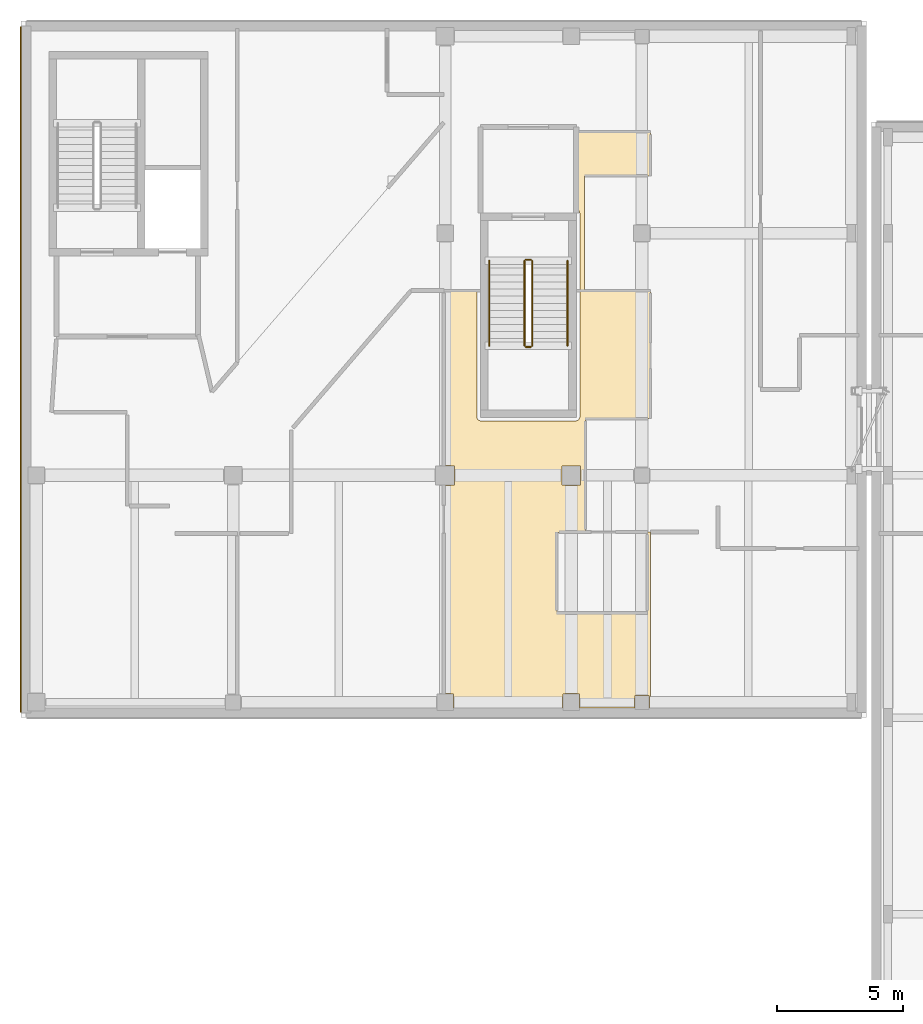
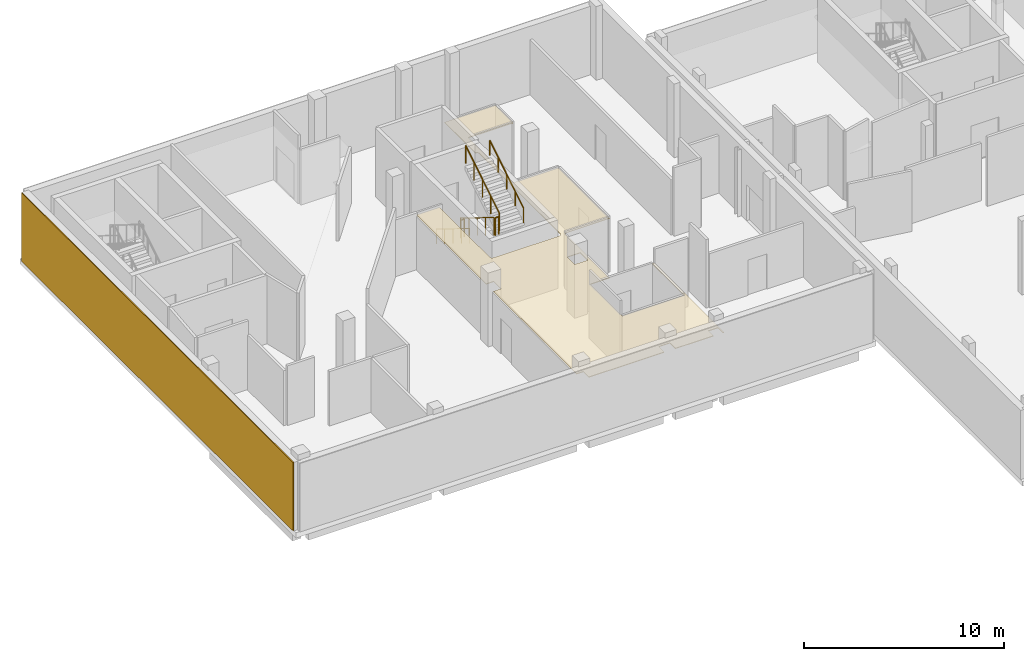
# One storey, part 32 of 41: 6 railings, 2 coverings.
"""IFC4 building model written with IfcOpenShell, lengths in metres."""

from ifc_helpers import new_model, si_unit, direction, frame, origin, origin_2d, place, context, subcontext, project, spatial, polyline, rectangle, circle, outline, extrude, material, layer, layer_set, type_object, element, save


model = new_model("IFC4")

# Units and contexts
model_context = context("Model", 3, precision=1e-05, world=origin(), true_north=direction((0.0, 1.0)))
body_context = subcontext(model_context, "Body", "Model", "MODEL_VIEW")
ifc_project = project(units=[si_unit("LENGTHUNIT", "METRE"), si_unit("AREAUNIT", "SQUARE_METRE"), si_unit("VOLUMEUNIT", "CUBIC_METRE"), si_unit("PLANEANGLEUNIT", "RADIAN"), si_unit("MASSUNIT", "GRAM", prefix="KILO")], contexts=[model_context])

# Site, building, storey
site_placement = place(None, origin())
site = spatial("IfcSite", under=ifc_project, at=site_placement, CompositionType="ELEMENT")
building_placement = place(site_placement, origin())
building = spatial("IfcBuilding", under=site, at=building_placement, Name="Mzevani Central Library", CompositionType="ELEMENT")
storey_placement = place(building_placement, frame((0.0, 0.0, 13.800048828125)))
storey = spatial("IfcBuildingStorey", under=building, at=storey_placement, Name="L03", CompositionType="ELEMENT", Elevation=13.800048828125)

# Railings
ifc_material_1 = material(Name="Brushed stainless steel rail", Category="steel")
railing_type_1 = type_object("IfcRailingType", Name="Interior Gallery and Stair Guard 1100", PredefinedType="BALUSTRADE", material=ifc_material_1)
railing_1_placement = place(storey_placement, frame((32.35009765625, 108.5, 0.173095703125)))
element("IfcRailing", 1, at=railing_1_placement, inside=storey, type_object=railing_type_1, Name="L03 ST-04 stair guard 1", PredefinedType="BALUSTRADE", context=body_context, shape_type="SweptSolid", body=[
    extrude(circle(Radius=0.02392578125, at=origin_2d()), frame((0.0, 0.0, 1.076171875), z_axis=(0.0, -0.850623216509, 0.525775754039), x_axis=(1.0, 0.0, 0.0)), (0.0, 0.0, 1.0), 3.9501953125),
    extrude(circle(Radius=0.02099609375, at=origin_2d()), origin(), (0.0, 0.0, 1.0), 1.052001953125),
    extrude(circle(Radius=0.02099609375, at=origin_2d()), frame((0.0, -0.840087890625, 0.519287109375)), (0.0, 0.0, 1.0), 1.052001953125),
    extrude(circle(Radius=0.02099609375, at=origin_2d()), frame((0.0, -1.68017578125, 1.03857421875)), (0.0, 0.0, 1.0), 1.052001953125),
    extrude(circle(Radius=0.02099609375, at=origin_2d()), frame((0.0, -2.52001953125, 1.5576171875)), (0.0, 0.0, 1.0), 1.052001953125),
    extrude(circle(Radius=0.02099609375, at=origin_2d()), frame((0.0, -3.360107421875, 2.076904296875)), (0.0, 0.0, 1.0), 1.052001953125),
])
railing_2_placement = place(storey_placement, frame((32.39990234375, 105.090087890625, 2.25)))
element("IfcRailing", 2, at=railing_2_placement, inside=storey, type_object=railing_type_1, Name="L03 ST-04 stair guard 2", PredefinedType="BALUSTRADE", context=body_context, shape_type="SweptSolid", body=[
    extrude(circle(Radius=0.02392578125, at=origin_2d()), frame((0.0, 0.0, 1.076171875), z_axis=(1.0, 0.0, 0.0), x_axis=(0.0, 1.0, 0.0)), (0.0, 0.0, 1.0), 0.2001953125),
    extrude(circle(Radius=0.02099609375, at=origin_2d()), origin(), (0.0, 0.0, 1.0), 1.052001953125),
    extrude(circle(Radius=0.02099609375, at=origin_2d()), frame((0.2001953125, 0.0, 0.0)), (0.0, 0.0, 1.0), 1.052001953125),
])
railing_3_placement = place(storey_placement, frame((32.64990234375, 105.139892578125, 2.423095703125)))
element("IfcRailing", 3, at=railing_3_placement, inside=storey, type_object=railing_type_1, Name="L03 ST-04 stair guard 3", PredefinedType="BALUSTRADE", context=body_context, shape_type="SweptSolid", body=[
    extrude(circle(Radius=0.02392578125, at=origin_2d()), frame((0.0, 0.0, 1.076171875), z_axis=(0.0, 0.850623216509, 0.525775754039), x_axis=(-1.0, 0.0, 0.0)), (0.0, 0.0, 1.0), 3.9501953125),
    extrude(circle(Radius=0.02099609375, at=origin_2d()), origin(), (0.0, 0.0, 1.0), 1.052001953125),
    extrude(circle(Radius=0.02099609375, at=origin_2d()), frame((0.0, 0.840087890625, 0.519287109375)), (0.0, 0.0, 1.0), 1.052001953125),
    extrude(circle(Radius=0.02099609375, at=origin_2d()), frame((0.0, 1.68017578125, 1.03857421875)), (0.0, 0.0, 1.0), 1.052001953125),
    extrude(circle(Radius=0.02099609375, at=origin_2d()), frame((0.0, 2.52001953125, 1.5576171875)), (0.0, 0.0, 1.0), 1.052001953125),
    extrude(circle(Radius=0.02099609375, at=origin_2d()), frame((0.0, 3.360107421875, 2.076904296875)), (0.0, 0.0, 1.0), 1.052001953125),
])
railing_4_placement = place(storey_placement, frame((32.39990234375, 108.550048828125, 0.0)))
element("IfcRailing", 4, at=railing_4_placement, inside=storey, type_object=railing_type_1, Name="L03 ST-04 stair guard 4", PredefinedType="BALUSTRADE", context=body_context, shape_type="SweptSolid", body=[
    extrude(circle(Radius=0.02392578125, at=origin_2d()), frame((0.0, 0.0, 1.076171875), z_axis=(1.0, 0.0, 0.0), x_axis=(0.0, 1.0, 0.0)), (0.0, 0.0, 1.0), 0.2001953125),
    extrude(circle(Radius=0.02099609375, at=origin_2d()), origin(), (0.0, 0.0, 1.0), 1.052001953125),
    extrude(circle(Radius=0.02099609375, at=origin_2d()), frame((0.2001953125, 0.0, 0.0)), (0.0, 0.0, 1.0), 1.052001953125),
])

# Coverings
ifc_material_2 = material(Name="Limestone ashlar cladding", Category="masonry")
ifc_layer_1 = layer(ifc_material_2, 0.050048828125, Name="Limestone Ashlar Spandrel Cladding")
ifc_layer_set_1 = layer_set([ifc_layer_1], Name="Limestone ashlar cladding")
covering_type_1 = type_object("IfcCoveringType", Name="Limestone Ashlar Spandrel Cladding", PredefinedType="CLADDING", material=ifc_layer_set_1)
covering_1_placement = place(storey_placement, frame((12.3759765625, 104.199951171875, 0.0), z_axis=(0.0, 0.0, 1.0), x_axis=(0.0, 1.0, 0.0)))
element("IfcCovering", 5, at=covering_1_placement, inside=storey, type_object=covering_type_1, Name="L03 Warm-White Facade Cladding (EW4-V2-L03-0029)", PredefinedType="CLADDING", context=body_context, shape_type="SweptSolid", body=[
    extrude(rectangle(XDim=27.179931640625, YDim=0.050048828125, at=origin_2d()), origin(), (0.0, 0.0, 1.0), 4.179931640625),
])
ifc_material_3 = material(Name="Mineral wool acoustic ceiling")
ifc_layer_2 = layer(ifc_material_3, 0.0400390625, Name="Perforated Timber Acoustic Ceiling")
ifc_layer_set_2 = layer_set([ifc_layer_2], Name="Mineral wool acoustic ceiling")
covering_type_2 = type_object("IfcCoveringType", Name="Perforated Timber Acoustic Ceiling", PredefinedType="CEILING", material=ifc_layer_set_2)
covering_2_placement = place(storey_placement, frame((0.0, 0.0, 3.25)))
element("IfcCovering", 6, at=covering_2_placement, inside=storey, type_object=covering_type_2, Name="L03 Senior Archivist Office Acoustic Ceiling", PredefinedType="CEILING", context=body_context, shape_type="SweptSolid", body=[
    extrude(outline(polyline([(30.458740234375, 107.32958984375), (30.4599609375, 102.3017578125), (30.491943359375, 102.212158203125), (30.602294921875, 102.159912109375), (34.398193359375, 102.159912109375), (34.48779296875, 102.19189453125), (34.5400390625, 102.30224609375), (34.5400390625, 110.39794921875), (34.498291015625, 110.498291015625), (34.389892578125, 110.550048828125), (34.39013671875, 113.6220703125), (37.342041015625, 113.627197265625), (37.340576171875, 111.86669921875), (34.735107421875, 111.864990234375), (34.735107421875, 107.3349609375), (37.34375, 107.32958984375), (37.3447265625, 102.248046875), (34.760009765625, 102.239990234375), (34.759765625, 97.748046875), (33.635009765625, 97.739990234375), (33.635009765625, 94.56005859375), (37.215087890625, 94.56005859375), (37.215087890625, 97.75), (37.34375, 97.754638671875), (37.3388671875, 90.770751953125), (37.27490234375, 90.77001953125), (37.27490234375, 91.27490234375), (36.72509765625, 91.27490234375), (36.72509765625, 90.77001953125), (34.52490234375, 90.77001953125), (34.52490234375, 91.324951171875), (33.875, 91.324951171875), (33.875, 90.77001953125), (29.52490234375, 90.77001953125), (29.52490234375, 91.324951171875), (29.139892578125, 91.324951171875), (29.139892578125, 99.625), (29.574951171875, 99.625), (29.574951171875, 100.375), (29.139892578125, 100.375), (29.139892578125, 107.325927734375), (30.458740234375, 107.32958984375)]), holes=[polyline([(33.824951171875, 100.375), (33.824951171875, 99.625), (34.574951171875, 99.625), (34.574951171875, 100.375), (33.824951171875, 100.375)])]), origin(), (0.0, 0.0, 1.0), 0.0400390625),
])

# Railings
railing_type_2 = type_object("IfcRailingType", Name="Stair Wall Handrail 920", PredefinedType="HANDRAIL", material=ifc_material_1)
railing_5_placement = place(storey_placement, frame((30.949951171875, 108.5, 0.173095703125)))
element("IfcRailing", 7, at=railing_5_placement, inside=storey, type_object=railing_type_2, Name="L03 ST-04 stair handrail 1", PredefinedType="HANDRAIL", context=body_context, shape_type="SweptSolid", body=[
    extrude(circle(Radius=0.02392578125, at=origin_2d()), frame((0.0, 0.0, 0.89599609375), z_axis=(0.0, -0.850623216509, 0.525775754039), x_axis=(1.0, 0.0, 0.0)), (0.0, 0.0, 1.0), 3.9501953125),
    extrude(circle(Radius=0.02099609375, at=origin_2d()), origin(), (0.0, 0.0, 1.0), 0.871826171875),
    extrude(circle(Radius=0.02099609375, at=origin_2d()), frame((0.0, -0.840087890625, 0.519287109375)), (0.0, 0.0, 1.0), 0.871826171875),
    extrude(circle(Radius=0.02099609375, at=origin_2d()), frame((0.0, -1.68017578125, 1.03857421875)), (0.0, 0.0, 1.0), 0.871826171875),
    extrude(circle(Radius=0.02099609375, at=origin_2d()), frame((0.0, -2.52001953125, 1.5576171875)), (0.0, 0.0, 1.0), 0.871826171875),
    extrude(circle(Radius=0.02099609375, at=origin_2d()), frame((0.0, -3.360107421875, 2.076904296875)), (0.0, 0.0, 1.0), 0.871826171875),
])
railing_6_placement = place(storey_placement, frame((34.050048828125, 105.139892578125, 2.423095703125)))
element("IfcRailing", 8, at=railing_6_placement, inside=storey, type_object=railing_type_2, Name="L03 ST-04 stair handrail 2", PredefinedType="HANDRAIL", context=body_context, shape_type="SweptSolid", body=[
    extrude(circle(Radius=0.02392578125, at=origin_2d()), frame((0.0, 0.0, 0.89599609375), z_axis=(0.0, 0.850623216509, 0.525775754039), x_axis=(-1.0, 0.0, 0.0)), (0.0, 0.0, 1.0), 3.9501953125),
    extrude(circle(Radius=0.02099609375, at=origin_2d()), origin(), (0.0, 0.0, 1.0), 0.871826171875),
    extrude(circle(Radius=0.02099609375, at=origin_2d()), frame((0.0, 0.840087890625, 0.519287109375)), (0.0, 0.0, 1.0), 0.871826171875),
    extrude(circle(Radius=0.02099609375, at=origin_2d()), frame((0.0, 1.68017578125, 1.03857421875)), (0.0, 0.0, 1.0), 0.871826171875),
    extrude(circle(Radius=0.02099609375, at=origin_2d()), frame((0.0, 2.52001953125, 1.5576171875)), (0.0, 0.0, 1.0), 0.871826171875),
    extrude(circle(Radius=0.02099609375, at=origin_2d()), frame((0.0, 3.360107421875, 2.076904296875)), (0.0, 0.0, 1.0), 0.871826171875),
])

save(model, "model.ifc")
